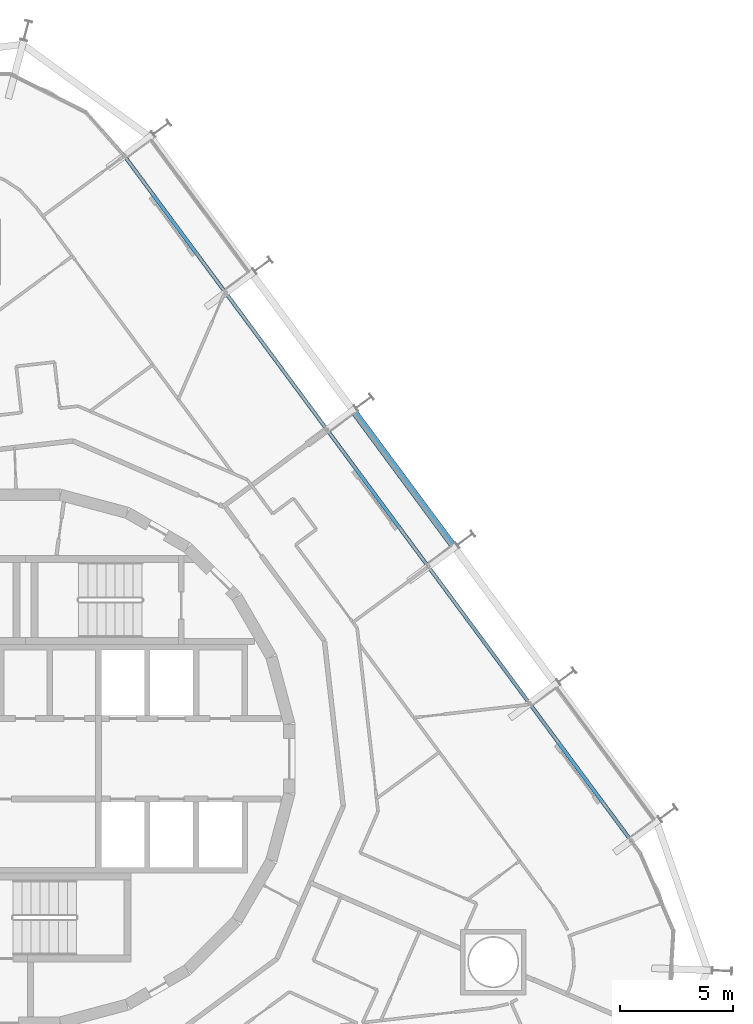
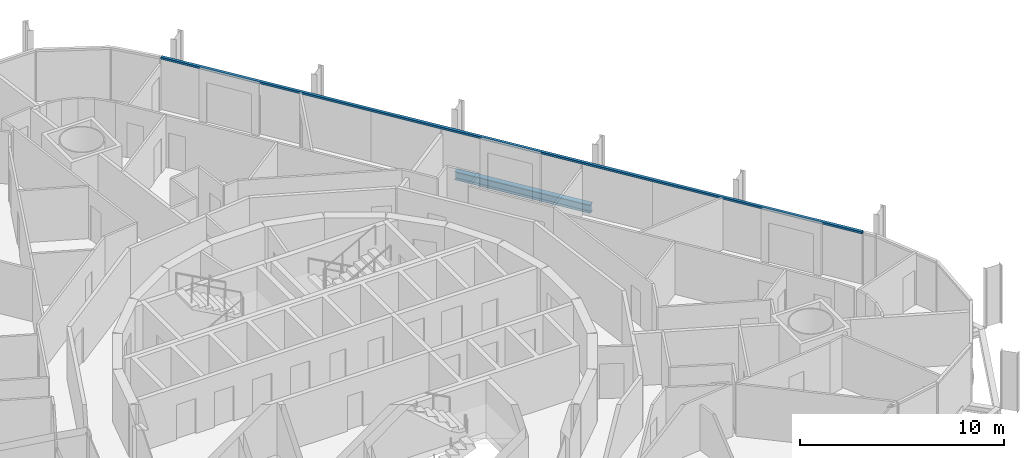
# One storey, part 10 of 24: 1 beam, 1 member, 1 element without a shape of its own.
"""IFC4 building model written with IfcOpenShell, lengths in metres."""

from ifc_helpers import new_model, si_unit, direction, frame, origin, origin_2d, place, context, subcontext, project, spatial, rectangle, i_section, extrude, material, layer, layer_set, material_profile, profile_set, type_object, element, aggregate, save


model = new_model("IFC4")

# Units and contexts
model_context = context("Model", 3, precision=1e-05, world=origin(), true_north=direction((0.0, 1.0)))
body_context = subcontext(model_context, "Body", "Model", "MODEL_VIEW")
ifc_project = project(units=[si_unit("LENGTHUNIT", "METRE"), si_unit("AREAUNIT", "SQUARE_METRE"), si_unit("VOLUMEUNIT", "CUBIC_METRE"), si_unit("PLANEANGLEUNIT", "RADIAN"), si_unit("MASSUNIT", "GRAM", prefix="KILO")], contexts=[model_context])

# Site, building, storey
site_placement = place(None, origin())
site = spatial("IfcSite", under=ifc_project, at=site_placement, CompositionType="ELEMENT")
building_placement = place(site_placement, origin())
building = spatial("IfcBuilding", under=site, at=building_placement, Name="Spindle Arch Residences", CompositionType="ELEMENT")
storey_placement = place(building_placement, frame((0.0, 0.0, 101.199951171875)))
storey = spatial("IfcBuildingStorey", under=building, at=storey_placement, Name="L24", CompositionType="ELEMENT", Elevation=101.199951171875)

# Curtain wall, member
ifc_material_1 = material(Name="Aluminium bronze unitised frame with tinted glass", Category="aluminium")
ifc_layer = layer(ifc_material_1, 0.159912109375)
ifc_layer_set = layer_set([ifc_layer], Name="CW-C typical residential unitised wall")
curtain_wall_type = type_object("IfcCurtainWallType", Name="CW-C typical residential unitised wall", PredefinedType="NOTDEFINED", material=ifc_layer_set)
curtain_wall_placement = place(storey_placement, origin())
curtain_wall = element("IfcCurtainWall", 1, at=curtain_wall_placement, inside=storey, type_object=curtain_wall_type, Name="CW-C L24 run 2", PredefinedType="NOTDEFINED")
ifc_material_2 = material(Name="Aluminium bronze anodised transom", Category="aluminium")
ifc_material_profile_1 = material_profile(ifc_material_2, rectangle(XDim=0.159912109375, YDim=0.1201171875, at=origin_2d()), Name="TR 120x160")
ifc_profile_set_1 = profile_set([ifc_material_profile_1], Name="Aluminium bronze anodised transom")
member_type = type_object("IfcMemberType", Name="Bronze transom 120x160", PredefinedType="USERDEFINED", material=ifc_profile_set_1)
member_placement = place(storey_placement, frame((26.707763671875, -3.583740234375, 3.06005859375), z_axis=(-0.594822410752, 0.803857138842, 0.0), x_axis=(-0.803857138842, -0.594822410752, 0.0)))
member = element("IfcMember", 2, at=member_placement, type_object=member_type, Name="CW-C transom 00", ObjectType="TRANSOM", PredefinedType="USERDEFINED", context=body_context, shape_type="SweptSolid", body=[
    extrude(rectangle(XDim=0.159912109375, YDim=0.1201171875, at=origin_2d()), origin(), (0.0, 0.0, 1.0), 37.5341796875),
])
aggregate(curtain_wall, [member])

# Beam
ifc_material_3 = material(Name="Steel S460ML, intumescent coating R 120", Category="steel")
ifc_material_profile_2 = material_profile(ifc_material_3, i_section(OverallWidth=0.300048828125, OverallDepth=0.5, WebThickness=0.014404296875, FlangeThickness=0.028076171875, FilletRadius=0.027099609375, at=origin_2d()), Name="HEB 500")
ifc_profile_set_2 = profile_set([ifc_material_profile_2], Name="Steel S460ML, intumescent coating R 120")
beam_type = type_object("IfcBeamType", Name="Exoskeleton edge beam HEB 500", PredefinedType="BEAM", material=ifc_profile_set_2)
beam_placement = place(storey_placement, frame((18.85546875, 9.437255859375, -0.6298828125), z_axis=(-0.59484300541, 0.803841899203, 0.0), x_axis=(-0.803841899203, -0.59484300541, 0.0)))
element("IfcBeam", 3, at=beam_placement, inside=storey, type_object=beam_type, Name="Exoskeleton edge beam 8", PredefinedType="BEAM", context=body_context, shape_type="SweptSolid", body=[
    extrude(i_section(OverallWidth=0.300048828125, OverallDepth=0.5, WebThickness=0.014404296875, FlangeThickness=0.028076171875, FilletRadius=0.027099609375, at=origin_2d()), origin(), (0.0, 0.0, 1.0), 7.2587890625),
])

save(model, "model.ifc")
